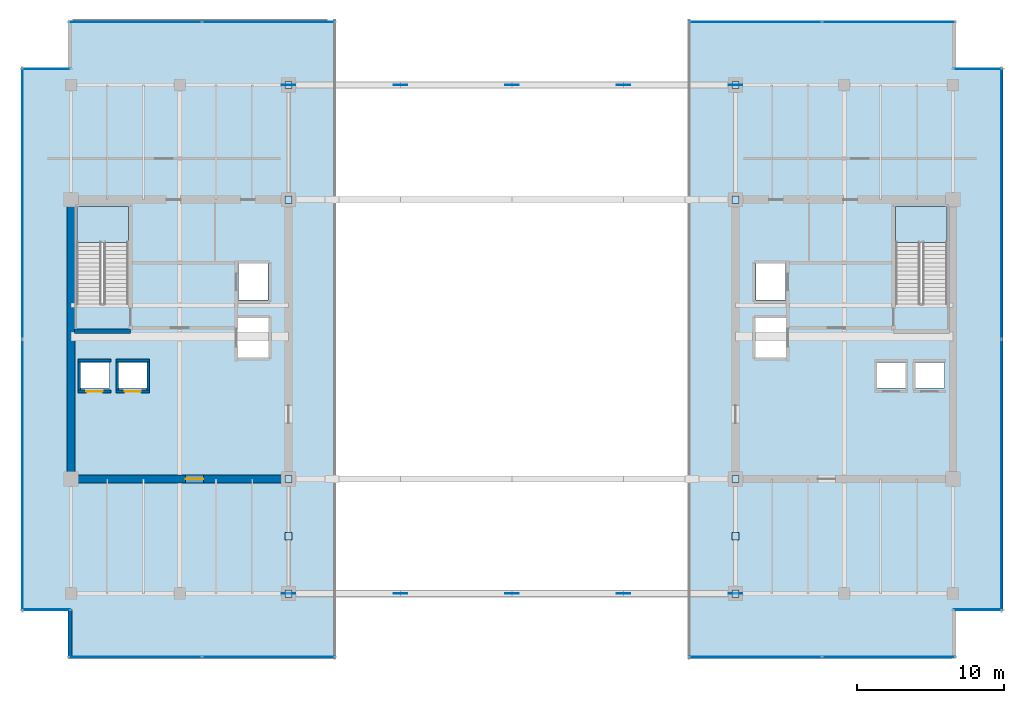
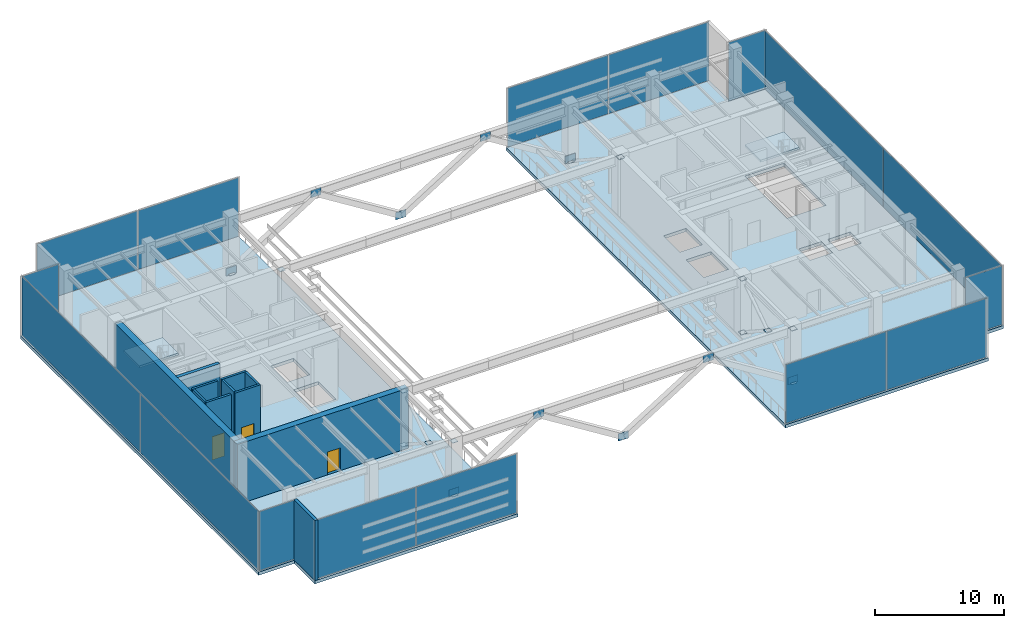
# One storey, part 24 of 30: 40 plates, 11 walls, 4 slabs, 3 doors, 3 openings, 12 elements without a shape of their own.
"""IFC4 building model written with IfcOpenShell, lengths in metres."""

from ifc_helpers import new_model, si_unit, direction, frame, frame_2d, origin, origin_2d, place, context, subcontext, project, spatial, polyline, rectangle, outline, extrude, source, transform, mapped, material, layer, layer_set, type_object, type_shapes, element, fill, aggregate, save


model = new_model("IFC4")

# Units and contexts
model_context = context("Model", 3, precision=1e-05, world=origin(), true_north=direction((0.0, 1.0)))
body_context = subcontext(model_context, "Body", "Model", "MODEL_VIEW")
ifc_project = project(units=[si_unit("LENGTHUNIT", "METRE"), si_unit("AREAUNIT", "SQUARE_METRE"), si_unit("VOLUMEUNIT", "CUBIC_METRE"), si_unit("PLANEANGLEUNIT", "RADIAN"), si_unit("MASSUNIT", "GRAM", prefix="KILO")], contexts=[model_context])

# Site, building, storey
site_placement = place(None, origin())
site = spatial("IfcSite", under=ifc_project, at=site_placement, CompositionType="ELEMENT")
building_placement = place(site_placement, origin())
building = spatial("IfcBuilding", under=site, at=building_placement, Name="Haelvirn Gate Laboratories", CompositionType="ELEMENT")
storey_placement = place(building_placement, frame((0.0, 0.0, 291.60009765625)))
storey = spatial("IfcBuildingStorey", under=building, at=storey_placement, Name="L70", CompositionType="ELEMENT", Elevation=291.60009765625)

# Stair, slab
ifc_material_1 = material(Name="Concrete C40/50", Category="concrete")
stair_type = type_object("IfcStairType", Name="ST-DOG-1650-R32", PredefinedType="HALF_TURN_STAIR", material=ifc_material_1)
stair_1_placement = place(storey_placement, origin())
stair_1 = element("IfcStair", 1, at=stair_1_placement, inside=storey, type_object=stair_type, Name="L70 Escape Stair ST1", PredefinedType="HALF_TURN_STAIR")
ifc_layer_1 = layer(ifc_material_1, 0.199951171875, Name="SL-STAIR-LND")
ifc_layer_set_1 = layer_set([ifc_layer_1], Name="Concrete C40/50")
slab_type_1 = type_object("IfcSlabType", Name="SL-STAIR-LND", PredefinedType="LANDING", material=ifc_layer_set_1)
slab_1_placement = place(storey_placement, frame((0.0, 0.0, 2.7998046875)))
slab_1 = element("IfcSlab", 2, at=slab_1_placement, type_object=slab_type_1, Name="ST1 landing 1", PredefinedType="LANDING", context=body_context, shape_type="SweptSolid", body=[
    extrude(outline(polyline([(11.300048828125, 30.89990234375), (11.300048828125, 33.35009765625), (7.800048828125, 33.35009765625), (7.800048828125, 30.89990234375), (11.300048828125, 30.89990234375)])), origin(), (0.0, 0.0, 1.0), 0.2001953125),
])
aggregate(stair_1, [slab_1])

stair_2_placement = place(storey_placement, origin())
stair_2 = element("IfcStair", 3, at=stair_2_placement, inside=storey, type_object=stair_type, Name="L70 Escape Stair ST2", PredefinedType="HALF_TURN_STAIR")
slab_2_placement = place(storey_placement, frame((0.0, 0.0, 2.7998046875)))
slab_2 = element("IfcSlab", 4, at=slab_2_placement, type_object=slab_type_1, Name="ST2 landing 1", PredefinedType="LANDING", context=body_context, shape_type="SweptSolid", body=[
    extrude(outline(polyline([(67.0, 30.89990234375), (67.0, 33.35009765625), (63.5, 33.35009765625), (63.5, 30.89990234375), (67.0, 30.89990234375)])), origin(), (0.0, 0.0, 1.0), 0.2001953125),
])
aggregate(stair_2, [slab_2])

# Slabs
ifc_layer_2 = layer(ifc_material_1, 0.300048828125, Name="SL-Z3-300")
ifc_layer_set_2 = layer_set([ifc_layer_2], Name="Concrete C40/50")
slab_type_2 = type_object("IfcSlabType", Name="SL-Z3-300", PredefinedType="FLOOR", material=ifc_layer_set_2)
slab_3_placement = place(storey_placement, frame((0.0, 0.0, -0.300048828125)))
element("IfcSlab", 5, at=slab_3_placement, inside=storey, type_object=slab_type_2, Name="L70 Structural Slab W", PredefinedType="FLOOR", context=body_context, shape_type="SweptSolid", body=[
    extrude(outline(polyline([(7.199951171875, 2.60009765625), (25.39990234375, 2.60009765625), (25.39990234375, 46.0), (7.199951171875, 46.0), (7.199951171875, 42.800048828125), (4.0, 42.800048828125), (4.0, 5.800048828125), (7.199951171875, 5.800048828125), (7.199951171875, 2.60009765625)]), holes=[polyline([(11.300048828125, 26.780029296875), (11.300048828125, 33.35009765625), (7.800048828125, 33.35009765625), (7.800048828125, 26.780029296875), (11.300048828125, 26.780029296875)]), polyline([(7.989990234375, 20.969970703125), (10.010009765625, 20.969970703125), (10.010009765625, 22.7099609375), (7.989990234375, 22.7099609375), (7.989990234375, 20.969970703125)]), polyline([(10.590087890625, 20.969970703125), (12.610107421875, 20.969970703125), (12.610107421875, 22.7099609375), (10.590087890625, 22.7099609375), (10.590087890625, 20.969970703125)]), polyline([(18.7900390625, 26.969970703125), (20.81005859375, 26.969970703125), (20.81005859375, 29.510009765625), (18.7900390625, 29.510009765625), (18.7900390625, 26.969970703125)]), polyline([(18.68994140625, 23.070068359375), (20.909912109375, 23.070068359375), (20.909912109375, 25.81005859375), (18.68994140625, 25.81005859375), (18.68994140625, 23.070068359375)])]), origin(), (0.0, 0.0, 1.0), 0.300048828125),
])
slab_4_placement = place(storey_placement, frame((0.0, 0.0, -0.300048828125)))
element("IfcSlab", 6, at=slab_4_placement, inside=storey, type_object=slab_type_2, Name="L70 Structural Slab E", PredefinedType="FLOOR", context=body_context, shape_type="SweptSolid", body=[
    extrude(outline(polyline([(49.39990234375, 2.60009765625), (67.60009765625, 2.60009765625), (67.60009765625, 5.800048828125), (70.800048828125, 5.800048828125), (70.800048828125, 42.800048828125), (67.60009765625, 42.800048828125), (67.60009765625, 46.0), (49.39990234375, 46.0), (49.39990234375, 2.60009765625)]), holes=[polyline([(67.0, 26.780029296875), (67.0, 33.35009765625), (63.5, 33.35009765625), (63.5, 26.780029296875), (67.0, 26.780029296875)]), polyline([(64.7900390625, 20.969970703125), (66.81005859375, 20.969970703125), (66.81005859375, 22.7099609375), (64.7900390625, 22.7099609375), (64.7900390625, 20.969970703125)]), polyline([(62.18994140625, 20.969970703125), (64.2099609375, 20.969970703125), (64.2099609375, 22.7099609375), (62.18994140625, 22.7099609375), (62.18994140625, 20.969970703125)]), polyline([(53.989990234375, 26.969970703125), (56.010009765625, 26.969970703125), (56.010009765625, 29.510009765625), (53.989990234375, 29.510009765625), (53.989990234375, 26.969970703125)]), polyline([(53.889892578125, 23.070068359375), (56.110107421875, 23.070068359375), (56.110107421875, 25.81005859375), (53.889892578125, 25.81005859375), (53.889892578125, 23.070068359375)])]), origin(), (0.0, 0.0, 1.0), 0.300048828125),
])

# Plates
ifc_material_2 = material(Name="Steel SM355", Category="steel")
ifc_layer_3 = layer(ifc_material_2, 0.02392578125, Name="PL-NODE-TN2")
ifc_layer_set_3 = layer_set([ifc_layer_3], Name="Steel SM355")
plate_type_1 = type_object("IfcPlateType", Name="PL-NODE-TN2", PredefinedType="USERDEFINED", material=ifc_layer_set_3)
shared_shape_1 = source(origin(), body_context, "Body", "SweptSolid", [
    extrude(rectangle(XDim=0.5, YDim=0.5, at=origin_2d()), origin(), (0.0, 0.0, 1.0), 0.02392578125),
])
type_shapes(plate_type_1, [shared_shape_1])
for number, where, z_axis, x_axis, name in (
    (7, (22.199951171875, 7.0, 0.238037109375), (0.0, 0.0, 1.0), (1.0, 0.0, 0.0), "L70 Steel Truss Node Plate TN2"),
    (8, (22.199951171875, 14.800048828125, 5.337890625), (0.0, 0.0, 1.0), (1.0, 0.0, 0.0), "L70 Steel Truss Node Plate TN2"),
    (9, (22.199951171875, 7.0, 5.337890625), (0.0, 0.0, 1.0), (1.0, 0.0, 0.0), "L70 Steel Truss Node Plate TN2"),
    (10, (22.199951171875, 10.89990234375, 2.787841796875), (0.0, 0.0, 1.0), (1.0, 0.0, 0.0), "L70 Steel Truss Node Plate TN2"),
    (11, (22.199951171875, 14.800048828125, 0.238037109375), (0.0, 0.0, 1.0), (1.0, 0.0, 0.0), "L70 Steel Truss Node Plate TN2"),
    (12, (22.199951171875, 33.800048828125, 5.337890625), (0.0, 0.0, 1.0), (1.0, 0.0, 0.0), "L70 Steel Truss Node Plate TN2"),
    (13, (22.199951171875, 41.60009765625, 0.238037109375), (0.0, 0.0, 1.0), (1.0, 0.0, 0.0), "L70 Steel Truss Node Plate TN2"),
    (14, (52.60009765625, 7.0, 0.238037109375), (0.0, 0.0, 1.0), (1.0, 0.0, 0.0), "L70 Steel Truss Node Plate TN2"),
    (15, (52.60009765625, 14.800048828125, 5.337890625), (0.0, 0.0, 1.0), (1.0, 0.0, 0.0), "L70 Steel Truss Node Plate TN2"),
    (16, (52.60009765625, 7.0, 5.337890625), (0.0, 0.0, 1.0), (1.0, 0.0, 0.0), "L70 Steel Truss Node Plate TN2"),
    (17, (52.60009765625, 10.89990234375, 2.787841796875), (0.0, 0.0, 1.0), (1.0, 0.0, 0.0), "L70 Steel Truss Node Plate TN2"),
    (18, (52.60009765625, 14.800048828125, 0.238037109375), (0.0, 0.0, 1.0), (1.0, 0.0, 0.0), "L70 Steel Truss Node Plate TN2"),
    (19, (52.60009765625, 33.800048828125, 5.337890625), (0.0, 0.0, 1.0), (1.0, 0.0, 0.0), "L70 Steel Truss Node Plate TN2"),
    (20, (52.60009765625, 41.60009765625, 0.238037109375), (0.0, 0.0, 1.0), (1.0, 0.0, 0.0), "L70 Steel Truss Node Plate TN2"),
):
    element("IfcPlate", number, at=place(storey_placement, frame(where, z_axis=z_axis, x_axis=x_axis)), inside=storey, type_object=plate_type_1, Name=name, ObjectType="END_CAP_PLATE", PredefinedType="USERDEFINED", context=body_context, shape_type="MappedRepresentation", body=[
        mapped(shared_shape_1, transform((0.0, 0.0, 0.0), scale=1.0)),
    ])
ifc_material_3 = material(Name="Steel SM420", Category="steel")
ifc_layer_4 = layer(ifc_material_3, 0.033935546875, Name="PL-NODE-AN2")
ifc_layer_set_4 = layer_set([ifc_layer_4], Name="Steel SM420")
plate_type_2 = type_object("IfcPlateType", Name="PL-NODE-AN2", PredefinedType="USERDEFINED", material=ifc_layer_set_4)
shared_shape_2 = source(origin(), body_context, "Body", "SweptSolid", [
    extrude(rectangle(XDim=0.919921875, YDim=0.033935546875, at=origin_2d()), origin(), (0.0, 0.0, 1.0), 0.699951171875),
])
type_shapes(plate_type_2, [shared_shape_2])
for number, where, z_axis, x_axis, name in (
    (21, (22.199951171875, 7.0, 0.14990234375), (0.0, 0.0, 1.0), (1.0, 0.0, 0.0), "L70 Steel Truss Node Plate AN2"),
    (22, (29.800048828125, 7.0, 4.89990234375), (0.0, 0.0, 1.0), (1.0, 0.0, 0.0), "L70 Steel Truss Node Plate AN2"),
    (23, (37.39990234375, 7.0, 0.14990234375), (0.0, 0.0, 1.0), (1.0, 0.0, 0.0), "L70 Steel Truss Node Plate AN2"),
    (24, (45.0, 7.0, 4.89990234375), (0.0, 0.0, 1.0), (1.0, 0.0, 0.0), "L70 Steel Truss Node Plate AN2"),
    (25, (52.60009765625, 7.0, 0.14990234375), (0.0, 0.0, 1.0), (1.0, 0.0, 0.0), "L70 Steel Truss Node Plate AN2"),
    (26, (22.199951171875, 41.60009765625, 0.14990234375), (0.0, 0.0, 1.0), (1.0, 0.0, 0.0), "L70 Steel Truss Node Plate AN2"),
    (27, (29.800048828125, 41.60009765625, 4.89990234375), (0.0, 0.0, 1.0), (1.0, 0.0, 0.0), "L70 Steel Truss Node Plate AN2"),
    (28, (37.39990234375, 41.60009765625, 0.14990234375), (0.0, 0.0, 1.0), (1.0, 0.0, 0.0), "L70 Steel Truss Node Plate AN2"),
    (29, (45.0, 41.60009765625, 4.89990234375), (0.0, 0.0, 1.0), (1.0, 0.0, 0.0), "L70 Steel Truss Node Plate AN2"),
    (30, (52.60009765625, 41.60009765625, 0.14990234375), (0.0, 0.0, 1.0), (1.0, 0.0, 0.0), "L70 Steel Truss Node Plate AN2"),
):
    element("IfcPlate", number, at=place(storey_placement, frame(where, z_axis=z_axis, x_axis=x_axis)), inside=storey, type_object=plate_type_2, Name=name, ObjectType="GUSSET_PLATE", PredefinedType="USERDEFINED", context=body_context, shape_type="MappedRepresentation", body=[
        mapped(shared_shape_2, transform((0.0, 0.0, 0.0), scale=1.0)),
    ])

# Curtain wall, plates
ifc_material_4 = material(Name="Anodised bronze unitised aluminium & triple low-E glass", Category="aluminium")
ifc_layer_5 = layer(ifc_material_4, 0.176025390625, Name="CW-SYS-4")
ifc_layer_set_5 = layer_set([ifc_layer_5], Name="Anodised bronze unitised aluminium & triple low-E glass")
curtain_wall_type_1 = type_object("IfcCurtainWallType", Name="CW-SYS-4", PredefinedType="NOTDEFINED", material=ifc_layer_set_5)
curtain_wall_1_placement = place(storey_placement, origin())
curtain_wall_1 = element("IfcCurtainWall", 31, at=curtain_wall_1_placement, inside=storey, type_object=curtain_wall_type_1, Name="L70 Unitised Curtain Wall CW-L70-P0-E00-1", PredefinedType="NOTDEFINED")
ifc_material_5 = material(Name="Acoustic laminated bronze triple IGU 36 mm", Category="glass")
ifc_layer_6 = layer(ifc_material_5, 0.035888671875, Name="CWP-IGU-36")
ifc_layer_set_6 = layer_set([ifc_layer_6], Name="Acoustic laminated bronze triple IGU 36 mm")
plate_type_3 = type_object("IfcPlateType", Name="CWP-IGU-36", PredefinedType="CURTAIN_PANEL", material=ifc_layer_set_6)
shared_shape_3 = source(origin(), body_context, "Body", "SweptSolid", [
    extrude(rectangle(XDim=8.9951171875, YDim=0.035888671875, at=origin_2d()), origin(), (0.0, 0.0, 1.0), 5.570068359375),
])
plate_1_placement = place(storey_placement, frame((11.767578125, 2.699951171875, 0.06494140625), z_axis=(0.0, 0.0, 1.0), x_axis=(1.0, 0.0, 0.0)))
plate_1 = element("IfcPlate", 32, at=plate_1_placement, type_object=plate_type_3, Name="CW4 panel 1.1", PredefinedType="CURTAIN_PANEL", context=body_context, shape_type="MappedRepresentation", body=[
    mapped(shared_shape_3, transform((0.0, 0.0, 0.0), scale=1.0)),
])
plate_2_placement = place(storey_placement, frame((20.83251953125, 2.699951171875, 0.06494140625), z_axis=(0.0, 0.0, 1.0), x_axis=(1.0, 0.0, 0.0)))
plate_2 = element("IfcPlate", 33, at=plate_2_placement, type_object=plate_type_3, Name="CW4 panel 2.1", PredefinedType="CURTAIN_PANEL", context=body_context, shape_type="MappedRepresentation", body=[
    mapped(shared_shape_3, transform((0.0, 0.0, 0.0), scale=1.0)),
])
aggregate(curtain_wall_1, [plate_1, plate_2])

curtain_wall_2_placement = place(storey_placement, origin())
curtain_wall_2 = element("IfcCurtainWall", 34, at=curtain_wall_2_placement, inside=storey, type_object=curtain_wall_type_1, Name="L70 Unitised Curtain Wall CW-L70-P0-E02-1", PredefinedType="NOTDEFINED")
plate_3_placement = place(storey_placement, frame((11.767578125, 45.89990234375, 0.06494140625), z_axis=(0.0, 0.0, 1.0), x_axis=(1.0, 0.0, 0.0)))
plate_3 = element("IfcPlate", 35, at=plate_3_placement, type_object=plate_type_3, Name="CW4 panel 1.1", PredefinedType="CURTAIN_PANEL", context=body_context, shape_type="MappedRepresentation", body=[
    mapped(shared_shape_3, transform((0.0, 0.0, 0.0), scale=1.0)),
])
plate_4_placement = place(storey_placement, frame((20.83251953125, 45.89990234375, 0.06494140625), z_axis=(0.0, 0.0, 1.0), x_axis=(1.0, 0.0, 0.0)))
plate_4 = element("IfcPlate", 36, at=plate_4_placement, type_object=plate_type_3, Name="CW4 panel 2.1", PredefinedType="CURTAIN_PANEL", context=body_context, shape_type="MappedRepresentation", body=[
    mapped(shared_shape_3, transform((0.0, 0.0, 0.0), scale=1.0)),
])
aggregate(curtain_wall_2, [plate_3, plate_4])

curtain_wall_3_placement = place(storey_placement, origin())
curtain_wall_3 = element("IfcCurtainWall", 37, at=curtain_wall_3_placement, inside=storey, type_object=curtain_wall_type_1, Name="L70 Unitised Curtain Wall CW-L70-P1-E00-1", PredefinedType="NOTDEFINED")
plate_5_placement = place(storey_placement, frame((53.967529296875, 2.699951171875, 0.06494140625), z_axis=(0.0, 0.0, 1.0), x_axis=(1.0, 0.0, 0.0)))
plate_5 = element("IfcPlate", 38, at=plate_5_placement, type_object=plate_type_3, Name="CW4 panel 1.1", PredefinedType="CURTAIN_PANEL", context=body_context, shape_type="MappedRepresentation", body=[
    mapped(shared_shape_3, transform((0.0, 0.0, 0.0), scale=1.0)),
])
plate_6_placement = place(storey_placement, frame((63.032470703125, 2.699951171875, 0.06494140625), z_axis=(0.0, 0.0, 1.0), x_axis=(1.0, 0.0, 0.0)))
plate_6 = element("IfcPlate", 39, at=plate_6_placement, type_object=plate_type_3, Name="CW4 panel 2.1", PredefinedType="CURTAIN_PANEL", context=body_context, shape_type="MappedRepresentation", body=[
    mapped(shared_shape_3, transform((0.0, 0.0, 0.0), scale=1.0)),
])
aggregate(curtain_wall_3, [plate_5, plate_6])

curtain_wall_4_placement = place(storey_placement, origin())
curtain_wall_4 = element("IfcCurtainWall", 40, at=curtain_wall_4_placement, inside=storey, type_object=curtain_wall_type_1, Name="L70 Unitised Curtain Wall CW-L70-P1-E06-1", PredefinedType="NOTDEFINED")
plate_7_placement = place(storey_placement, frame((53.967529296875, 45.89990234375, 0.06494140625), z_axis=(0.0, 0.0, 1.0), x_axis=(1.0, 0.0, 0.0)))
plate_7 = element("IfcPlate", 41, at=plate_7_placement, type_object=plate_type_3, Name="CW4 panel 1.1", PredefinedType="CURTAIN_PANEL", context=body_context, shape_type="MappedRepresentation", body=[
    mapped(shared_shape_3, transform((0.0, 0.0, 0.0), scale=1.0)),
])
plate_8_placement = place(storey_placement, frame((63.032470703125, 45.89990234375, 0.06494140625), z_axis=(0.0, 0.0, 1.0), x_axis=(1.0, 0.0, 0.0)))
plate_8 = element("IfcPlate", 42, at=plate_8_placement, type_object=plate_type_3, Name="CW4 panel 2.1", PredefinedType="CURTAIN_PANEL", context=body_context, shape_type="MappedRepresentation", body=[
    mapped(shared_shape_3, transform((0.0, 0.0, 0.0), scale=1.0)),
])
aggregate(curtain_wall_4, [plate_7, plate_8])

# Curtain wall, plate
ifc_layer_7 = layer(ifc_material_4, 0.181884765625, Name="CW-SYS-5")
ifc_layer_set_7 = layer_set([ifc_layer_7], Name="Anodised bronze unitised aluminium & triple low-E glass")
curtain_wall_type_2 = type_object("IfcCurtainWallType", Name="CW-SYS-5", PredefinedType="NOTDEFINED", material=ifc_layer_set_7)
curtain_wall_5_placement = place(storey_placement, origin())
curtain_wall_5 = element("IfcCurtainWall", 43, at=curtain_wall_5_placement, inside=storey, type_object=curtain_wall_type_2, Name="L70 Unitised Curtain Wall CW-L70-P0-E04-1", PredefinedType="NOTDEFINED")
ifc_material_6 = material(Name="Clear low-iron notched-corner triple IGU 42 mm", Category="glass")
ifc_layer_8 = layer(ifc_material_6, 0.0419921875, Name="CWP-NTC-42")
ifc_layer_set_8 = layer_set([ifc_layer_8], Name="Clear low-iron notched-corner triple IGU 42 mm")
plate_type_4 = type_object("IfcPlateType", Name="CWP-NTC-42", PredefinedType="CURTAIN_PANEL", material=ifc_layer_set_8)
shared_shape_4 = source(origin(), body_context, "Body", "SweptSolid", [
    extrude(rectangle(XDim=3.280029296875, YDim=0.0419921875, at=origin_2d()), origin(), (0.0, 0.0, 1.0), 5.570068359375),
])
type_shapes(plate_type_4, [shared_shape_4])
plate_9_placement = place(storey_placement, frame((5.719970703125, 42.699951171875, 0.06494140625), z_axis=(0.0, 0.0, 1.0), x_axis=(1.0, 0.0, 0.0)))
plate_9 = element("IfcPlate", 44, at=plate_9_placement, type_object=plate_type_4, Name="CW5 panel 1.1", PredefinedType="CURTAIN_PANEL", context=body_context, shape_type="MappedRepresentation", body=[
    mapped(shared_shape_4, transform((0.0, 0.0, 0.0), scale=1.0)),
])
aggregate(curtain_wall_5, [plate_9])

curtain_wall_6_placement = place(storey_placement, origin())
curtain_wall_6 = element("IfcCurtainWall", 45, at=curtain_wall_6_placement, inside=storey, type_object=curtain_wall_type_2, Name="L70 Unitised Curtain Wall CW-L70-P0-E06-1", PredefinedType="NOTDEFINED")
plate_10_placement = place(storey_placement, frame((5.719970703125, 5.89990234375, 0.06494140625), z_axis=(0.0, 0.0, 1.0), x_axis=(1.0, 0.0, 0.0)))
plate_10 = element("IfcPlate", 46, at=plate_10_placement, type_object=plate_type_4, Name="CW5 panel 1.1", PredefinedType="CURTAIN_PANEL", context=body_context, shape_type="MappedRepresentation", body=[
    mapped(shared_shape_4, transform((0.0, 0.0, 0.0), scale=1.0)),
])
aggregate(curtain_wall_6, [plate_10])

curtain_wall_7_placement = place(storey_placement, origin())
curtain_wall_7 = element("IfcCurtainWall", 47, at=curtain_wall_7_placement, inside=storey, type_object=curtain_wall_type_2, Name="L70 Unitised Curtain Wall CW-L70-P1-E02-1", PredefinedType="NOTDEFINED")
plate_11_placement = place(storey_placement, frame((69.080078125, 5.89990234375, 0.06494140625), z_axis=(0.0, 0.0, 1.0), x_axis=(1.0, 0.0, 0.0)))
plate_11 = element("IfcPlate", 48, at=plate_11_placement, type_object=plate_type_4, Name="CW5 panel 1.1", PredefinedType="CURTAIN_PANEL", context=body_context, shape_type="MappedRepresentation", body=[
    mapped(shared_shape_4, transform((0.0, 0.0, 0.0), scale=1.0)),
])
aggregate(curtain_wall_7, [plate_11])

curtain_wall_8_placement = place(storey_placement, origin())
curtain_wall_8 = element("IfcCurtainWall", 49, at=curtain_wall_8_placement, inside=storey, type_object=curtain_wall_type_2, Name="L70 Unitised Curtain Wall CW-L70-P1-E04-1", PredefinedType="NOTDEFINED")
plate_12_placement = place(storey_placement, frame((69.080078125, 42.699951171875, 0.06494140625), z_axis=(0.0, 0.0, 1.0), x_axis=(1.0, 0.0, 0.0)))
plate_12 = element("IfcPlate", 50, at=plate_12_placement, type_object=plate_type_4, Name="CW5 panel 1.1", PredefinedType="CURTAIN_PANEL", context=body_context, shape_type="MappedRepresentation", body=[
    mapped(shared_shape_4, transform((0.0, 0.0, 0.0), scale=1.0)),
])
aggregate(curtain_wall_8, [plate_12])

# Curtain wall, plates
curtain_wall_9_placement = place(storey_placement, origin())
curtain_wall_9 = element("IfcCurtainWall", 51, at=curtain_wall_9_placement, inside=storey, type_object=curtain_wall_type_1, Name="L70 Unitised Curtain Wall CW-L70-P0-E05", PredefinedType="NOTDEFINED")
shared_shape_5 = source(origin(), body_context, "Body", "SweptSolid", [
    extrude(rectangle(XDim=18.39501953125, YDim=0.035888671875, at=origin_2d()), origin(), (0.0, 0.0, 1.0), 5.570068359375),
])
type_shapes(plate_type_3, [shared_shape_3, shared_shape_5])
plate_13_placement = place(storey_placement, frame((4.10009765625, 33.532470703125, 0.06494140625), z_axis=(0.0, 0.0, 1.0), x_axis=(0.0, -1.0, 0.0)))
plate_13 = element("IfcPlate", 52, at=plate_13_placement, type_object=plate_type_3, Name="CW4 panel 1.1", PredefinedType="CURTAIN_PANEL", context=body_context, shape_type="MappedRepresentation", body=[
    mapped(shared_shape_5, transform((0.0, 0.0, 0.0), scale=1.0)),
])
plate_14_placement = place(storey_placement, frame((4.10009765625, 15.0673828125, 0.06494140625), z_axis=(0.0, 0.0, 1.0), x_axis=(0.0, -1.0, 0.0)))
plate_14 = element("IfcPlate", 53, at=plate_14_placement, type_object=plate_type_3, Name="CW4 panel 2.1", PredefinedType="CURTAIN_PANEL", context=body_context, shape_type="MappedRepresentation", body=[
    mapped(shared_shape_5, transform((0.0, 0.0, 0.0), scale=1.0)),
])
aggregate(curtain_wall_9, [plate_13, plate_14])

curtain_wall_10_placement = place(storey_placement, origin())
curtain_wall_10 = element("IfcCurtainWall", 54, at=curtain_wall_10_placement, inside=storey, type_object=curtain_wall_type_1, Name="L70 Unitised Curtain Wall CW-L70-P1-E03", PredefinedType="NOTDEFINED")
plate_15_placement = place(storey_placement, frame((70.699951171875, 15.0673828125, 0.06494140625), z_axis=(0.0, 0.0, 1.0), x_axis=(0.0, 1.0, 0.0)))
plate_15 = element("IfcPlate", 55, at=plate_15_placement, type_object=plate_type_3, Name="CW4 panel 1.1", PredefinedType="CURTAIN_PANEL", context=body_context, shape_type="MappedRepresentation", body=[
    mapped(shared_shape_5, transform((0.0, 0.0, 0.0), scale=1.0)),
])
plate_16_placement = place(storey_placement, frame((70.699951171875, 33.532470703125, 0.06494140625), z_axis=(0.0, 0.0, 1.0), x_axis=(0.0, 1.0, 0.0)))
plate_16 = element("IfcPlate", 56, at=plate_16_placement, type_object=plate_type_3, Name="CW4 panel 2.1", PredefinedType="CURTAIN_PANEL", context=body_context, shape_type="MappedRepresentation", body=[
    mapped(shared_shape_5, transform((0.0, 0.0, 0.0), scale=1.0)),
])
aggregate(curtain_wall_10, [plate_15, plate_16])

# Walls
ifc_material_7 = material(Name="Thermally-broken bronze aluminium rainscreen & mineral wool", Category="aluminium")
ifc_layer_9 = layer(ifc_material_7, 0.280029296875, Name="EW-TERR-280")
ifc_layer_set_9 = layer_set([ifc_layer_9], Name="Thermally-broken bronze aluminium rainscreen & mineral wool")
wall_type_1 = type_object("IfcWallType", Name="EW-TERR-280", PredefinedType="STANDARD", material=ifc_layer_set_9)
wall_1_placement = place(storey_placement, frame((7.340087890625, 5.887939453125, 0.0), z_axis=(0.0, 0.0, 1.0), x_axis=(0.0, -1.0, 0.0)))
element("IfcWall", 57, at=wall_1_placement, inside=storey, type_object=wall_type_1, Name="L70 Atrium Recess Bronze Return Wall 07", PredefinedType="STANDARD", context=body_context, shape_type="SweptSolid", body=[
    extrude(rectangle(XDim=3.287841796875, YDim=0.280029296875, at=frame_2d((1.64404296875, 0.0))), origin(), (0.0, 0.0, 1.0), 5.699951171875),
])
ifc_layer_10 = layer(ifc_material_1, 0.179931640625, Name="IW-SHAFT-180")
ifc_layer_set_10 = layer_set([ifc_layer_10], Name="Concrete C40/50")
wall_type_2 = type_object("IfcWallType", Name="IW-SHAFT-180", PredefinedType="SOLIDWALL", material=ifc_layer_set_10)
for number, where, z_axis, x_axis, name in (
    (58, (7.949951171875, 20.85009765625, 0.0), (0.0, 0.0, 1.0), (0.0, 1.0, 0.0), "L70 Interior Wall IW-L70-PL9-SD"),
    (59, (10.550048828125, 20.85009765625, 0.0), (0.0, 0.0, 1.0), (0.0, 1.0, 0.0), "L70 Interior Wall IW-L70-PL10-SD"),
    (60, (12.64990234375, 20.85009765625, 0.0), (0.0, 0.0, 1.0), (0.0, 1.0, 0.0), "L70 Interior Wall IW-L70-PL10-SDE"),
):
    element("IfcWall", number, at=place(storey_placement, frame(where, z_axis=z_axis, x_axis=x_axis)), inside=storey, type_object=wall_type_2, Name=name, PredefinedType="SOLIDWALL", context=body_context, shape_type="SweptSolid", body=[
        extrude(rectangle(XDim=1.89990234375, YDim=0.179931640625, at=frame_2d((0.949951171875, 0.0))), origin(), (0.0, 0.0, 1.0), 5.699951171875),
    ])

# Wall, opening, door
ifc_layer_11 = layer(ifc_material_1, 0.199951171875, Name="IW-SHAFT-200")
ifc_layer_set_11 = layer_set([ifc_layer_11], Name="Concrete C40/50")
wall_type_3 = type_object("IfcWallType", Name="IW-SHAFT-200", PredefinedType="SOLIDWALL", material=ifc_layer_set_11)
wall_2_placement = place(storey_placement, frame((7.8701171875, 20.75, 0.0), z_axis=(0.0, 0.0, 1.0), x_axis=(1.0, 0.0, 0.0)))
wall_2 = element("IfcWall", 61, at=wall_2_placement, inside=storey, type_object=wall_type_3, Name="L70 Interior Wall IW-L70-PL9-FR", PredefinedType="SOLIDWALL", context=body_context, shape_type="SweptSolid", body=[
    extrude(rectangle(XDim=2.259765625, YDim=0.199951171875, at=frame_2d((1.1298828125, 0.0))), origin(), (0.0, 0.0, 1.0), 5.699951171875),
])
opening_1_placement = place(wall_2_placement, frame((0.580078125, 0.0, 0.0)))
opening_1 = element("IfcOpeningElement", 62, at=opening_1_placement, cuts=wall_2, Name="Opening LD2", PredefinedType="OPENING", context=body_context, shape_type="SweptSolid", body=[
    extrude(rectangle(XDim=1.10009765625, YDim=2.219970703125, at=frame_2d((0.550048828125, 1.10986328125))), frame((0.0, 0.10986328125, 0.0), z_axis=(0.0, -1.0, 0.0), x_axis=(1.0, 0.0, 0.0)), (0.0, 0.0, 1.0), 0.219970703125),
])
ifc_material_8 = material(Name="Bronze stainless 316L sliding lift landing door")
door_type_1 = type_object("IfcDoorType", Name="DR-LD-1100", OperationType="NOTDEFINED", PredefinedType="USERDEFINED", material=ifc_material_8)
shared_shape_6 = source(origin(), body_context, "Body", "SweptSolid", [
    extrude(rectangle(XDim=1.10009765625, YDim=2.219970703125, at=frame_2d((0.550048828125, 1.10986328125))), frame((0.0, 0.02490234375, 0.0), z_axis=(0.0, -1.0, 0.0), x_axis=(1.0, 0.0, 0.0)), (0.0, 0.0, 1.0), 0.050048828125),
])
type_shapes(door_type_1, [shared_shape_6])
door_1_placement = place(opening_1_placement, origin())
door_1 = element("IfcDoor", 63, at=door_1_placement, inside=storey, type_object=door_type_1, Name="L70 Passenger Lift PL9 Landing Door", ObjectType="LANDING_DOOR", OperationType="SLIDING_TO_LEFT", OverallHeight=2.219970703125, OverallWidth=1.10009765625, PredefinedType="USERDEFINED", context=body_context, shape_type="MappedRepresentation", body=[
    mapped(shared_shape_6, transform((0.0, 0.0, 0.0), scale=1.0)),
])
fill(opening_1, door_1)

# Wall
wall_3_placement = place(storey_placement, frame((7.8701171875, 22.85009765625, 0.0), z_axis=(0.0, 0.0, 1.0), x_axis=(1.0, 0.0, 0.0)))
element("IfcWall", 64, at=wall_3_placement, inside=storey, type_object=wall_type_3, Name="L70 Interior Wall IW-L70-PL9-BK", PredefinedType="SOLIDWALL", context=body_context, shape_type="SweptSolid", body=[
    extrude(rectangle(XDim=2.259765625, YDim=0.199951171875, at=frame_2d((1.1298828125, 0.0))), origin(), (0.0, 0.0, 1.0), 5.699951171875),
])

# Wall, opening, door
wall_4_placement = place(storey_placement, frame((10.469970703125, 20.75, 0.0), z_axis=(0.0, 0.0, 1.0), x_axis=(1.0, 0.0, 0.0)))
wall_4 = element("IfcWall", 65, at=wall_4_placement, inside=storey, type_object=wall_type_3, Name="L70 Interior Wall IW-L70-PL10-FR", PredefinedType="SOLIDWALL", context=body_context, shape_type="SweptSolid", body=[
    extrude(rectangle(XDim=2.260009765625, YDim=0.199951171875, at=frame_2d((1.1298828125, 0.0))), origin(), (0.0, 0.0, 1.0), 5.699951171875),
])
opening_2_placement = place(wall_4_placement, frame((0.580078125, 0.0, 0.0)))
opening_2 = element("IfcOpeningElement", 66, at=opening_2_placement, cuts=wall_4, Name="Opening LD2", PredefinedType="OPENING", context=body_context, shape_type="SweptSolid", body=[
    extrude(rectangle(XDim=1.10009765625, YDim=2.219970703125, at=frame_2d((0.550048828125, 1.10986328125))), frame((0.0, 0.10986328125, 0.0), z_axis=(0.0, -1.0, 0.0), x_axis=(1.0, 0.0, 0.0)), (0.0, 0.0, 1.0), 0.219970703125),
])
door_2_placement = place(opening_2_placement, origin())
door_2 = element("IfcDoor", 67, at=door_2_placement, inside=storey, type_object=door_type_1, Name="L70 Passenger Lift PL10 Landing Door", ObjectType="LANDING_DOOR", OperationType="SLIDING_TO_RIGHT", OverallHeight=2.219970703125, OverallWidth=1.10009765625, PredefinedType="USERDEFINED", context=body_context, shape_type="MappedRepresentation", body=[
    mapped(shared_shape_6, transform((0.0, 0.0, 0.0), scale=1.0)),
])
fill(opening_2, door_2)

# Wall
wall_5_placement = place(storey_placement, frame((10.469970703125, 22.85009765625, 0.0), z_axis=(0.0, 0.0, 1.0), x_axis=(1.0, 0.0, 0.0)))
element("IfcWall", 68, at=wall_5_placement, inside=storey, type_object=wall_type_3, Name="L70 Interior Wall IW-L70-PL10-BK", PredefinedType="SOLIDWALL", context=body_context, shape_type="SweptSolid", body=[
    extrude(rectangle(XDim=2.260009765625, YDim=0.199951171875, at=frame_2d((1.1298828125, 0.0))), origin(), (0.0, 0.0, 1.0), 5.699951171875),
])

# Wall, opening, door
ifc_material_9 = material(Name="Concrete C50/60", Category="concrete")
ifc_layer_12 = layer(ifc_material_9, 0.550048828125, Name="SW-CORE-550")
ifc_layer_set_12 = layer_set([ifc_layer_12], Name="Concrete C50/60")
wall_type_4 = type_object("IfcWallType", Name="SW-CORE-550", PredefinedType="SHEAR", material=ifc_layer_set_12)
wall_6_placement = place(storey_placement, frame((7.125, 14.800048828125, 0.0), z_axis=(0.0, 0.0, 1.0), x_axis=(1.0, 0.0, 0.0)))
wall_6 = element("IfcWall", 69, at=wall_6_placement, inside=storey, type_object=wall_type_4, Name="L70 W Core Shear Wall S", PredefinedType="SHEAR", context=body_context, shape_type="SweptSolid", body=[
    extrude(rectangle(XDim=15.35009765625, YDim=0.550048828125, at=frame_2d((7.675048828125, 0.0))), origin(), (0.0, 0.0, 1.0), 5.699951171875),
])
opening_3_placement = place(wall_6_placement, frame((8.074951171875, 0.0, 0.0)))
opening_3 = element("IfcOpeningElement", 70, at=opening_3_placement, cuts=wall_6, Name="Opening FD2", PredefinedType="OPENING", context=body_context, shape_type="SweptSolid", body=[
    extrude(rectangle(XDim=1.199951171875, YDim=2.159912109375, at=frame_2d((0.60009765625, 1.080078125))), frame((0.0, 0.28515625, 0.0), z_axis=(0.0, -1.0, 0.0), x_axis=(1.0, 0.0, 0.0)), (0.0, 0.0, 1.0), 0.570068359375),
])
ifc_material_10 = material(Name="Fire-rated steel SM355 compartment door", Category="steel")
door_type_2 = type_object("IfcDoorType", Name="DR-FD-1200", OperationType="NOTDEFINED", PredefinedType="DOOR", material=ifc_material_10)
shared_shape_7 = source(origin(), body_context, "Body", "SweptSolid", [
    extrude(rectangle(XDim=1.199951171875, YDim=2.159912109375, at=frame_2d((0.60009765625, 1.080078125))), frame((0.0, 0.02490234375, 0.0), z_axis=(0.0, -1.0, 0.0), x_axis=(1.0, 0.0, 0.0)), (0.0, 0.0, 1.0), 0.050048828125),
])
type_shapes(door_type_2, [shared_shape_7])
door_3_placement = place(opening_3_placement, origin())
door_3 = element("IfcDoor", 71, at=door_3_placement, inside=storey, type_object=door_type_2, Name="L70 West Core Refuge Lobby Door", OperationType="SINGLE_SWING_LEFT", OverallHeight=2.159912109375, OverallWidth=1.199951171875, PredefinedType="DOOR", context=body_context, shape_type="MappedRepresentation", body=[
    mapped(shared_shape_7, transform((0.0, 0.0, 0.0), scale=1.0)),
])
fill(opening_3, door_3)

# Walls
wall_7_placement = place(storey_placement, frame((7.39990234375, 15.074951171875, 0.0), z_axis=(0.0, 0.0, 1.0), x_axis=(0.0, 1.0, 0.0)))
element("IfcWall", 72, at=wall_7_placement, inside=storey, type_object=wall_type_4, Name="L70 W Core Shear Wall W", PredefinedType="SHEAR", context=body_context, shape_type="SweptSolid", body=[
    extrude(rectangle(XDim=18.449951171875, YDim=0.550048828125, at=frame_2d((9.22509765625, 0.0))), origin(), (0.0, 0.0, 1.0), 5.699951171875),
])
ifc_layer_13 = layer(ifc_material_9, 0.300048828125, Name="SW-STAIR-300")
ifc_layer_set_13 = layer_set([ifc_layer_13], Name="Concrete C50/60")
wall_type_5 = type_object("IfcWallType", Name="SW-STAIR-300", PredefinedType="SHEAR", material=ifc_layer_set_13)
wall_8_placement = place(storey_placement, frame((7.64990234375, 24.85009765625, 0.0), z_axis=(0.0, 0.0, 1.0), x_axis=(1.0, 0.0, 0.0)))
element("IfcWall", 73, at=wall_8_placement, inside=storey, type_object=wall_type_5, Name="L70 W Core Stair Shaft Structural Wall S", PredefinedType="SHEAR", context=body_context, shape_type="SweptSolid", body=[
    extrude(rectangle(XDim=3.800048828125, YDim=0.300048828125, at=frame_2d((1.89990234375, 0.0))), origin(), (0.0, 0.0, 1.0), 5.699951171875),
])

save(model, "model.ifc")
